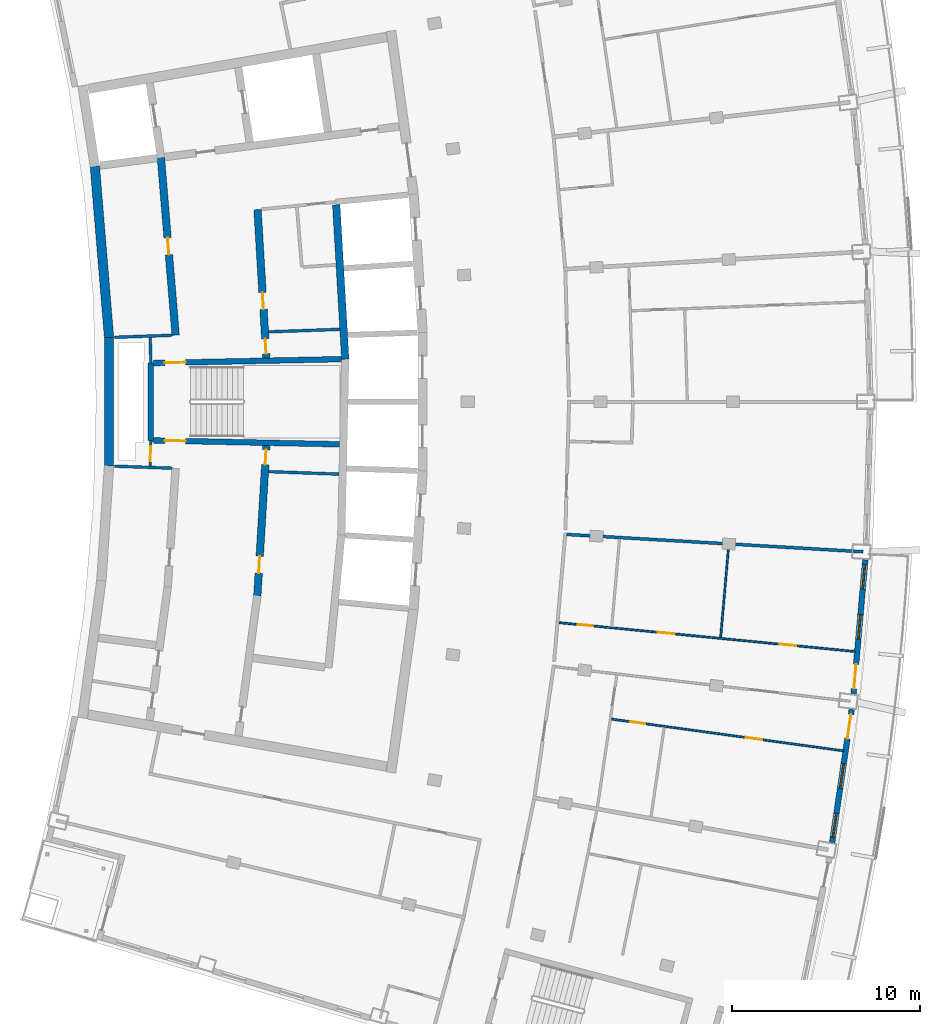
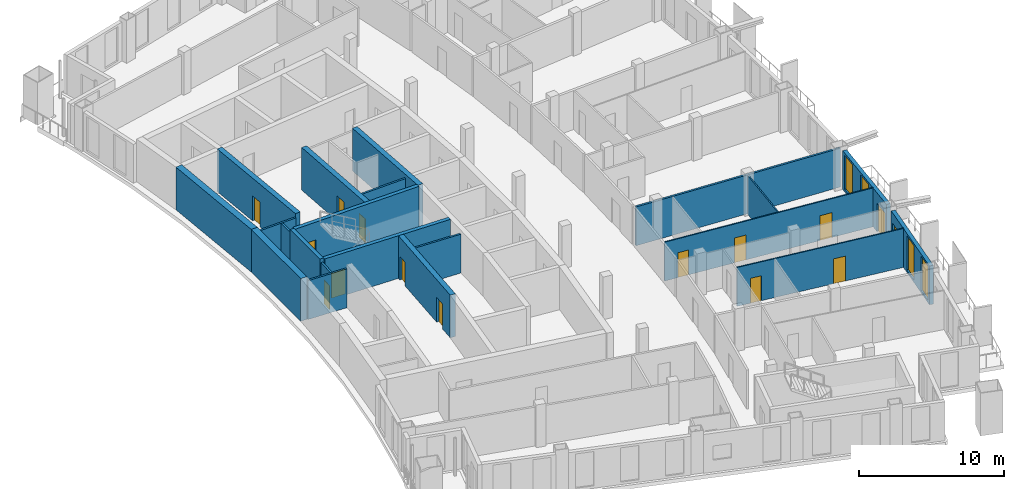
# One storey, part 9 of 15: 21 walls, 15 doors, 4 windows, 19 openings.
"""IFC4 building model written with IfcOpenShell, lengths in metres."""

from ifc_helpers import new_model, si_unit, direction, frame, frame_2d, origin, place, context, subcontext, project, spatial, rectangle, extrude, material, layer, layer_set, type_object, element, fill, save


model = new_model("IFC4")

# Units and contexts
model_context = context("Model", 3, precision=1e-05, world=origin(), true_north=direction((0.0, 1.0)))
body_context = subcontext(model_context, "Body", "Model", "MODEL_VIEW")
ifc_project = project(units=[si_unit("LENGTHUNIT", "METRE"), si_unit("AREAUNIT", "SQUARE_METRE"), si_unit("VOLUMEUNIT", "CUBIC_METRE"), si_unit("PLANEANGLEUNIT", "RADIAN"), si_unit("MASSUNIT", "GRAM", prefix="KILO")], contexts=[model_context])

# Site, building, storey
site_placement = place(None, origin())
site = spatial("IfcSite", under=ifc_project, at=site_placement, CompositionType="ELEMENT")
building_placement = place(site_placement, origin())
building = spatial("IfcBuilding", under=site, at=building_placement, Name="Alderwake Tower", CompositionType="ELEMENT")
storey_placement = place(building_placement, frame((0.0, 0.0, 249.199951171875)))
storey = spatial("IfcBuildingStorey", under=building, at=storey_placement, Name="L61", CompositionType="ELEMENT", Elevation=249.199951171875)

# Walls
ifc_material_1 = material(Name="Gypsum shaft wall system, rated")
ifc_layer_1 = layer(ifc_material_1, 0.14990234375)
ifc_layer_set_1 = layer_set([ifc_layer_1], Name="Core riser partition 150")
wall_type_1 = type_object("IfcWallType", Name="Core riser partition 150", PredefinedType="PARTITIONING", material=ifc_layer_set_1)
wall_1_placement = place(storey_placement, frame((25.1904296875, 57.276611328125, 0.0), z_axis=(0.0, 0.0, 1.0), x_axis=(0.99937350076, -0.035392173974, 0.0)))
element("IfcWall", 1, at=wall_1_placement, inside=storey, type_object=wall_type_1, Name="CW/L61/PR-37_+86", PredefinedType="PARTITIONING", context=body_context, shape_type="SweptSolid", body=[
    extrude(rectangle(XDim=3.752685546875, YDim=0.14990234375, at=frame_2d((1.87646484375, 0.0))), origin(), (0.0, 0.0, 1.0), 3.280029296875),
])
wall_2_placement = place(storey_placement, frame((25.191162109375, 64.723388671875, 0.0), z_axis=(0.0, 0.0, 1.0), x_axis=(0.999373627871, 0.035388584556, 0.0)))
element("IfcWall", 2, at=wall_2_placement, inside=storey, type_object=wall_type_1, Name="CW/L61/PR+37_+86", PredefinedType="PARTITIONING", context=body_context, shape_type="SweptSolid", body=[
    extrude(rectangle(XDim=3.79443359375, YDim=0.14990234375, at=frame_2d((1.897216796875, 0.0))), origin(), (0.0, 0.0, 1.0), 3.280029296875),
])

# Wall, opening, door
ifc_material_2 = material(Name="Gypsum shaft wall system, rated")
ifc_layer_2 = layer(ifc_material_2, 0.14990234375)
ifc_layer_set_2 = layer_set([ifc_layer_2], Name="Core room partition 150")
wall_type_2 = type_object("IfcWallType", Name="Core room partition 150", PredefinedType="PARTITIONING", material=ifc_layer_set_2)
wall_3_placement = place(storey_placement, frame((18.918701171875, 58.94384765625, 0.0), z_axis=(0.0, 0.0, 1.0), x_axis=(-0.027811602725, -0.999613182563, 0.0)))
wall_3 = element("IfcWall", 3, at=wall_3_placement, inside=storey, type_object=wall_type_2, Name="CW/L61/PA+24_-37", PredefinedType="PARTITIONING", context=body_context, shape_type="SweptSolid", body=[
    extrude(rectangle(XDim=1.369384765625, YDim=0.14990234375, at=frame_2d((0.6845703125, 0.0))), origin(), (0.0, 0.0, 1.0), 3.280029296875),
])
opening_1_placement = place(wall_3_placement, frame((0.322998046875, 0.0, 0.0)))
opening_1 = element("IfcOpeningElement", 4, at=opening_1_placement, cuts=wall_3, Name="Opening C004", PredefinedType="OPENING", context=body_context, shape_type="SweptSolid", body=[
    extrude(rectangle(XDim=0.800048828125, YDim=2.0, at=frame_2d((0.39990234375, 1.0))), frame((0.0, 0.0849609375, 0.0), z_axis=(0.0, -1.0, 0.0), x_axis=(1.0, 0.0, 0.0)), (0.0, 0.0, 1.0), 0.169921875),
])
ifc_material_3 = material(Name="Painted steel leaf, rated", Category="steel")
door_type_1 = type_object("IfcDoorType", Name="Riser access door 800", OperationType="SINGLE_SWING_LEFT", PredefinedType="DOOR", material=ifc_material_3)
door_1_placement = place(opening_1_placement, origin())
door_1 = element("IfcDoor", 5, at=door_1_placement, inside=storey, type_object=door_type_1, Name="Riser access door", OperationType="SINGLE_SWING_RIGHT", OverallHeight=2.0, OverallWidth=0.800048828125, PredefinedType="DOOR", context=body_context, shape_type="SweptSolid", body=[
    extrude(rectangle(XDim=0.800048828125, YDim=2.0, at=frame_2d((0.39990234375, 1.0))), frame((0.0, 0.02490234375, 0.0), z_axis=(0.0, -1.0, 0.0), x_axis=(1.0, 0.0, 0.0)), (0.0, 0.0, 1.0), 0.050048828125),
])
fill(opening_1, door_1)

# Walls
wall_4_placement = place(storey_placement, frame((18.918701171875, 63.05517578125, 0.0), z_axis=(0.0, 0.0, 1.0), x_axis=(-0.027791791559, 0.99961373356, 0.0)))
element("IfcWall", 6, at=wall_4_placement, inside=storey, type_object=wall_type_2, Name="CW/L61/PA+24_+22", PredefinedType="PARTITIONING", context=body_context, shape_type="SweptSolid", body=[
    extrude(rectangle(XDim=1.370361328125, YDim=0.14990234375, at=frame_2d((0.68505859375, 0.0))), origin(), (0.0, 0.0, 1.0), 3.280029296875),
])
for number, where, z_axis, x_axis, name in (
    (7, (16.969482421875, 57.5673828125, 0.0), (0.0, 0.0, 1.0), (0.999376258731, -0.035314210814, 0.0), "CW/L61/PR-37_+0"),
    (8, (16.969482421875, 64.4326171875, 0.0), (0.0, 0.0, 1.0), (0.999376258731, 0.035314210814, 0.0), "CW/L61/PR+37_+0"),
):
    element("IfcWall", number, at=place(storey_placement, frame(where, z_axis=z_axis, x_axis=x_axis)), inside=storey, type_object=wall_type_2, Name=name, PredefinedType="PARTITIONING", context=body_context, shape_type="SweptSolid", body=[
        extrude(rectangle(XDim=3.069580078125, YDim=0.14990234375, at=frame_2d((1.53466796875, 0.0))), origin(), (0.0, 0.0, 1.0), 3.280029296875),
    ])
ifc_material_4 = material(Name="Concrete C70/85", Category="concrete")
ifc_layer_3 = layer(ifc_material_4, 0.5)
ifc_layer_set_3 = layer_set([ifc_layer_3], Name="Core wall outer 500 C70-85")
wall_type_3 = type_object("IfcWallType", Name="Core wall outer 500 C70-85", PredefinedType="SHEAR", material=ifc_layer_set_3)
wall_5_placement = place(storey_placement, frame((16.689453125, 57.568603515625, 0.0), z_axis=(0.0, 0.0, 1.0), x_axis=(0.0, 1.0, 0.0)))
element("IfcWall", 9, at=wall_5_placement, inside=storey, type_object=wall_type_3, Name="Core wall CW.029", PredefinedType="SHEAR", context=body_context, shape_type="SweptSolid", body=[
    extrude(rectangle(XDim=6.86474609375, YDim=0.5, at=frame_2d((3.432373046875, 0.0))), origin(), (0.0, 0.0, 1.0), 3.60009765625),
])
wall_6_placement = place(storey_placement, frame((16.690185546875, 64.41162109375, 0.0), z_axis=(0.0, 0.0, 1.0), x_axis=(-0.082611702064, 0.996581811334, 0.0)))
element("IfcWall", 10, at=wall_6_placement, inside=storey, type_object=wall_type_3, Name="Core wall CW.026", PredefinedType="SHEAR", context=body_context, shape_type="SweptSolid", body=[
    extrude(rectangle(XDim=9.176025390625, YDim=0.5, at=frame_2d((4.587890625, 0.0))), origin(), (0.0, 0.0, 1.0), 3.60009765625),
])

# Wall, opening, door
ifc_material_5 = material(Name="Concrete C70/85", Category="concrete")
ifc_layer_4 = layer(ifc_material_5, 0.39990234375)
ifc_layer_set_4 = layer_set([ifc_layer_4], Name="Core wall spine 400 C70-85")
wall_type_4 = type_object("IfcWallType", Name="Core wall spine 400 C70-85", PredefinedType="SHEAR", material=ifc_layer_set_4)
wall_7_placement = place(storey_placement, frame((19.452392578125, 74.014892578125, 0.0), z_axis=(0.0, 0.0, 1.0), x_axis=(0.082628585297, -0.996580411654, 0.0)))
wall_7 = element("IfcWall", 11, at=wall_7_placement, inside=storey, type_object=wall_type_4, Name="Core wall CW.031", PredefinedType="SHEAR", context=body_context, shape_type="SweptSolid", body=[
    extrude(rectangle(XDim=9.499267578125, YDim=0.39990234375, at=frame_2d((4.74951171875, 0.0))), origin(), (0.0, 0.0, 1.0), 3.60009765625),
])
opening_2_placement = place(wall_7_placement, frame((4.30322265625, 0.0, 0.0)))
opening_2 = element("IfcOpeningElement", 12, at=opening_2_placement, cuts=wall_7, Name="Opening C051", PredefinedType="OPENING", context=body_context, shape_type="SweptSolid", body=[
    extrude(rectangle(XDim=0.89990234375, YDim=2.10009765625, at=frame_2d((0.449951171875, 1.050048828125))), frame((0.0, 0.2099609375, 0.0), z_axis=(0.0, -1.0, 0.0), x_axis=(1.0, 0.0, 0.0)), (0.0, 0.0, 1.0), 0.419921875),
])
ifc_material_6 = material(Name="Painted steel leaf", Category="steel")
door_type_2 = type_object("IfcDoorType", Name="Core room door 900", OperationType="SINGLE_SWING_LEFT", PredefinedType="DOOR", material=ifc_material_6)
door_2_placement = place(opening_2_placement, origin())
door_2 = element("IfcDoor", 13, at=door_2_placement, inside=storey, type_object=door_type_2, Name="Room door", OperationType="SINGLE_SWING_RIGHT", OverallHeight=2.10009765625, OverallWidth=0.89990234375, PredefinedType="DOOR", context=body_context, shape_type="SweptSolid", body=[
    extrude(rectangle(XDim=0.89990234375, YDim=2.10009765625, at=frame_2d((0.449951171875, 1.050048828125))), frame((0.0, 0.02490234375, 0.0), z_axis=(0.0, -1.0, 0.0), x_axis=(1.0, 0.0, 0.0)), (0.0, 0.0, 1.0), 0.050048828125),
])
fill(opening_2, door_2)

# Wall, openings, doors
wall_8_placement = place(storey_placement, frame((24.590087890625, 50.65673828125, 0.0), z_axis=(0.0, 0.0, 1.0), x_axis=(0.060318641452, 0.998179173041, 0.0)))
wall_8 = element("IfcWall", 14, at=wall_8_placement, inside=storey, type_object=wall_type_4, Name="Core wall CW.046", PredefinedType="SHEAR", context=body_context, shape_type="SweptSolid", body=[
    extrude(rectangle(XDim=8.022216796875, YDim=0.39990234375, at=frame_2d((4.01123046875, 0.0))), origin(), (0.0, 0.0, 1.0), 3.60009765625),
])
opening_3_placement = place(wall_8_placement, frame((7.006103515625, 0.0, 0.0)))
opening_3 = element("IfcOpeningElement", 15, at=opening_3_placement, cuts=wall_8, Name="Opening C006", PredefinedType="OPENING", context=body_context, shape_type="SweptSolid", body=[
    extrude(rectangle(XDim=0.800048828125, YDim=2.0, at=frame_2d((0.39990234375, 1.0))), frame((0.0, 0.2099609375, 0.0), z_axis=(0.0, -1.0, 0.0), x_axis=(1.0, 0.0, 0.0)), (0.0, 0.0, 1.0), 0.419921875),
])
opening_4_placement = place(wall_8_placement, frame((1.21533203125, 0.0, 0.0)))
opening_4 = element("IfcOpeningElement", 16, at=opening_4_placement, cuts=wall_8, Name="Opening C043", PredefinedType="OPENING", context=body_context, shape_type="SweptSolid", body=[
    extrude(rectangle(XDim=0.89990234375, YDim=2.10009765625, at=frame_2d((0.449951171875, 1.050048828125))), frame((0.0, 0.2099609375, 0.0), z_axis=(0.0, -1.0, 0.0), x_axis=(1.0, 0.0, 0.0)), (0.0, 0.0, 1.0), 0.419921875),
])
door_3_placement = place(opening_4_placement, origin())
door_3 = element("IfcDoor", 17, at=door_3_placement, inside=storey, type_object=door_type_2, Name="Room door", OperationType="SINGLE_SWING_LEFT", OverallHeight=2.10009765625, OverallWidth=0.89990234375, PredefinedType="DOOR", context=body_context, shape_type="SweptSolid", body=[
    extrude(rectangle(XDim=0.89990234375, YDim=2.10009765625, at=frame_2d((0.449951171875, 1.050048828125))), frame((0.0, 0.02490234375, 0.0), z_axis=(0.0, -1.0, 0.0), x_axis=(1.0, 0.0, 0.0)), (0.0, 0.0, 1.0), 0.050048828125),
])
fill(opening_4, door_3)
door_4_placement = place(opening_3_placement, origin())
door_4 = element("IfcDoor", 18, at=door_4_placement, inside=storey, type_object=door_type_1, Name="Riser access door", OperationType="SINGLE_SWING_RIGHT", OverallHeight=2.0, OverallWidth=0.800048828125, PredefinedType="DOOR", context=body_context, shape_type="SweptSolid", body=[
    extrude(rectangle(XDim=0.800048828125, YDim=2.0, at=frame_2d((0.39990234375, 1.0))), frame((0.0, 0.02490234375, 0.0), z_axis=(0.0, -1.0, 0.0), x_axis=(1.0, 0.0, 0.0)), (0.0, 0.0, 1.0), 0.050048828125),
])
fill(opening_3, door_4)

wall_9_placement = place(storey_placement, frame((25.073974609375, 63.335693359375, 0.0), z_axis=(0.0, 0.0, 1.0), x_axis=(-0.059848641072, 0.998207463487, 0.0)))
wall_9 = element("IfcWall", 19, at=wall_9_placement, inside=storey, type_object=wall_type_4, Name="Core wall CW.045", PredefinedType="SHEAR", context=body_context, shape_type="SweptSolid", body=[
    extrude(rectangle(XDim=7.913818359375, YDim=0.39990234375, at=frame_2d((3.95703125, 0.0))), origin(), (0.0, 0.0, 1.0), 3.60009765625),
])
opening_5_placement = place(wall_9_placement, frame((0.216064453125, 0.0, 0.0)))
opening_5 = element("IfcOpeningElement", 20, at=opening_5_placement, cuts=wall_9, Name="Opening C005", PredefinedType="OPENING", context=body_context, shape_type="SweptSolid", body=[
    extrude(rectangle(XDim=0.800048828125, YDim=2.0, at=frame_2d((0.39990234375, 1.0))), frame((0.0, 0.2099609375, 0.0), z_axis=(0.0, -1.0, 0.0), x_axis=(1.0, 0.0, 0.0)), (0.0, 0.0, 1.0), 0.419921875),
])
opening_6_placement = place(wall_9_placement, frame((2.590087890625, 0.0, 0.0)))
opening_6 = element("IfcOpeningElement", 21, at=opening_6_placement, cuts=wall_9, Name="Opening C058", PredefinedType="OPENING", context=body_context, shape_type="SweptSolid", body=[
    extrude(rectangle(XDim=0.89990234375, YDim=2.10009765625, at=frame_2d((0.449951171875, 1.050048828125))), frame((0.0, 0.2099609375, 0.0), z_axis=(0.0, -1.0, 0.0), x_axis=(1.0, 0.0, 0.0)), (0.0, 0.0, 1.0), 0.419921875),
])
door_5_placement = place(opening_6_placement, origin())
door_5 = element("IfcDoor", 22, at=door_5_placement, inside=storey, type_object=door_type_2, Name="Room door", OperationType="SINGLE_SWING_LEFT", OverallHeight=2.10009765625, OverallWidth=0.89990234375, PredefinedType="DOOR", context=body_context, shape_type="SweptSolid", body=[
    extrude(rectangle(XDim=0.89990234375, YDim=2.10009765625, at=frame_2d((0.449951171875, 1.050048828125))), frame((0.0, 0.02490234375, 0.0), z_axis=(0.0, -1.0, 0.0), x_axis=(1.0, 0.0, 0.0)), (0.0, 0.0, 1.0), 0.050048828125),
])
fill(opening_6, door_5)
door_6_placement = place(opening_5_placement, origin())
door_6 = element("IfcDoor", 23, at=door_6_placement, inside=storey, type_object=door_type_1, Name="Riser access door", OperationType="SINGLE_SWING_LEFT", OverallHeight=2.0, OverallWidth=0.800048828125, PredefinedType="DOOR", context=body_context, shape_type="SweptSolid", body=[
    extrude(rectangle(XDim=0.800048828125, YDim=2.0, at=frame_2d((0.39990234375, 1.0))), frame((0.0, 0.02490234375, 0.0), z_axis=(0.0, -1.0, 0.0), x_axis=(1.0, 0.0, 0.0)), (0.0, 0.0, 1.0), 0.050048828125),
])
fill(opening_5, door_6)

# Walls
wall_10_placement = place(storey_placement, frame((29.27685546875, 63.2646484375, 0.0), z_axis=(0.0, 0.0, 1.0), x_axis=(-0.0584546922, 0.998290062537, 0.0)))
element("IfcWall", 24, at=wall_10_placement, inside=storey, type_object=wall_type_4, Name="Core wall CW.002", PredefinedType="SHEAR", context=body_context, shape_type="SweptSolid", body=[
    extrude(rectangle(XDim=8.24462890625, YDim=0.39990234375, at=frame_2d((4.122314453125, 0.0))), origin(), (0.0, 0.0, 1.0), 3.60009765625),
])
ifc_material_7 = material(Name="Concrete C70/85", Category="concrete")
ifc_layer_5 = layer(ifc_material_7, 0.300048828125)
ifc_layer_set_5 = layer_set([ifc_layer_5], Name="Core wall stair enclosure 300 C70-85")
wall_type_5 = type_object("IfcWallType", Name="Core wall stair enclosure 300 C70-85", PredefinedType="SHEAR", material=ifc_layer_set_5)
wall_11_placement = place(storey_placement, frame((18.918701171875, 58.940673828125, 0.0), z_axis=(0.0, 0.0, 1.0), x_axis=(0.0, 1.0, 0.0)))
element("IfcWall", 25, at=wall_11_placement, inside=storey, type_object=wall_type_5, Name="Core wall CW.024", PredefinedType="SHEAR", context=body_context, shape_type="SweptSolid", body=[
    extrude(rectangle(XDim=4.11962890625, YDim=0.300048828125, at=frame_2d((2.059814453125, 0.0))), origin(), (0.0, 0.0, 1.0), 3.60009765625),
])

# Wall, opening, door
wall_12_placement = place(storey_placement, frame((28.975830078125, 58.733154296875, 0.0), z_axis=(0.0, 0.0, 1.0), x_axis=(-0.999783782948, 0.020793925895, 0.0)))
wall_12 = element("IfcWall", 26, at=wall_12_placement, inside=storey, type_object=wall_type_5, Name="Core wall CW.074", PredefinedType="SHEAR", context=body_context, shape_type="SweptSolid", body=[
    extrude(rectangle(XDim=9.909423828125, YDim=0.300048828125, at=frame_2d((4.95458984375, 0.0))), origin(), (0.0, 0.0, 1.0), 3.60009765625),
])
opening_7_placement = place(wall_12_placement, frame((8.20947265625, 0.0, 0.0)))
opening_7 = element("IfcOpeningElement", 27, at=opening_7_placement, cuts=wall_12, Name="Opening C063", PredefinedType="OPENING", context=body_context, shape_type="SweptSolid", body=[
    extrude(rectangle(XDim=1.10009765625, YDim=2.10009765625, at=frame_2d((0.550048828125, 1.050048828125))), frame((0.0, 0.159912109375, 0.0), z_axis=(0.0, -1.0, 0.0), x_axis=(1.0, 0.0, 0.0)), (0.0, 0.0, 1.0), 0.320068359375),
])
ifc_material_8 = material(Name="Steel-framed fire door leaf", Category="steel")
door_type_3 = type_object("IfcDoorType", Name="Core stair door 1100 fire-rated", OperationType="SINGLE_SWING_LEFT", PredefinedType="DOOR", material=ifc_material_8)
door_7_placement = place(opening_7_placement, origin())
door_7 = element("IfcDoor", 28, at=door_7_placement, inside=storey, type_object=door_type_3, Name="Stair door", OperationType="SINGLE_SWING_LEFT", OverallHeight=2.10009765625, OverallWidth=1.10009765625, PredefinedType="DOOR", context=body_context, shape_type="SweptSolid", body=[
    extrude(rectangle(XDim=1.10009765625, YDim=2.10009765625, at=frame_2d((0.550048828125, 1.050048828125))), frame((0.0, 0.02490234375, 0.0), z_axis=(0.0, -1.0, 0.0), x_axis=(1.0, 0.0, 0.0)), (0.0, 0.0, 1.0), 0.050048828125),
])
fill(opening_7, door_7)

wall_13_placement = place(storey_placement, frame((19.068603515625, 63.060791015625, 0.0), z_axis=(0.0, 0.0, 1.0), x_axis=(0.999783553773, 0.02080494185, 0.0)))
wall_13 = element("IfcWall", 29, at=wall_13_placement, inside=storey, type_object=wall_type_5, Name="Core wall CW.057", PredefinedType="SHEAR", context=body_context, shape_type="SweptSolid", body=[
    extrude(rectangle(XDim=10.009765625, YDim=0.300048828125, at=frame_2d((5.0048828125, 0.0))), origin(), (0.0, 0.0, 1.0), 3.60009765625),
])
opening_8_placement = place(wall_13_placement, frame((0.60009765625, 0.0, 0.0)))
opening_8 = element("IfcOpeningElement", 30, at=opening_8_placement, cuts=wall_13, Name="Opening C064", PredefinedType="OPENING", context=body_context, shape_type="SweptSolid", body=[
    extrude(rectangle(XDim=1.10009765625, YDim=2.10009765625, at=frame_2d((0.550048828125, 1.050048828125))), frame((0.0, 0.159912109375, 0.0), z_axis=(0.0, -1.0, 0.0), x_axis=(1.0, 0.0, 0.0)), (0.0, 0.0, 1.0), 0.320068359375),
])
door_8_placement = place(opening_8_placement, origin())
door_8 = element("IfcDoor", 31, at=door_8_placement, inside=storey, type_object=door_type_3, Name="Stair door", OperationType="SINGLE_SWING_RIGHT", OverallHeight=2.10009765625, OverallWidth=1.10009765625, PredefinedType="DOOR", context=body_context, shape_type="SweptSolid", body=[
    extrude(rectangle(XDim=1.10009765625, YDim=2.10009765625, at=frame_2d((0.550048828125, 1.050048828125))), frame((0.0, 0.02490234375, 0.0), z_axis=(0.0, -1.0, 0.0), x_axis=(1.0, 0.0, 0.0)), (0.0, 0.0, 1.0), 0.050048828125),
])
fill(opening_8, door_8)

# Wall
ifc_material_9 = material(Name="Gypsum board on metal studs, rated")
ifc_layer_6 = layer(ifc_material_9, 0.159912109375)
ifc_layer_set_6 = layer_set([ifc_layer_6], Name="Corridor wall 160")
wall_type_6 = type_object("IfcWallType", Name="Corridor wall 160", PredefinedType="PARTITIONING", material=ifc_layer_set_6)
wall_14_placement = place(storey_placement, frame((41.074951171875, 53.92919921875, 0.0), z_axis=(0.0, 0.0, 1.0), x_axis=(0.998299769412, -0.058288681503, 0.0)))
element("IfcWall", 32, at=wall_14_placement, inside=storey, type_object=wall_type_6, Name="WL/L61/W24", PredefinedType="PARTITIONING", context=body_context, shape_type="SweptSolid", body=[
    extrude(rectangle(XDim=15.81982421875, YDim=0.159912109375, at=frame_2d((7.909912109375, 0.0))), origin(), (0.0, 0.0, 1.0), 3.280029296875),
])

# Wall, openings, door, windows
ifc_material_10 = material(Name="Precast concrete C50/60 spandrel panel", Category="concrete")
ifc_layer_7 = layer(ifc_material_10, 0.300048828125)
ifc_layer_set_7 = layer_set([ifc_layer_7], Name="External wall EW1 Precast concrete C50/60 spandrel")
wall_type_7 = type_object("IfcWallType", Name="External wall EW1 Precast concrete C50/60 spandrel", PredefinedType="SOLIDWALL", material=ifc_layer_set_7)
wall_15_placement = place(storey_placement, frame((55.21484375, 37.52099609375, 0.0), z_axis=(0.0, 0.0, 1.0), x_axis=(0.145324203969, 0.989384089088, 0.0)))
wall_15 = element("IfcWall", 33, at=wall_15_placement, inside=storey, type_object=wall_type_7, Name="External wall 13", PredefinedType="SOLIDWALL", context=body_context, shape_type="SweptSolid", body=[
    extrude(rectangle(XDim=7.16162109375, YDim=0.300048828125, at=frame_2d((3.580810546875, 0.0))), origin(), (0.0, 0.0, 1.0), 3.280029296875),
])
opening_9_placement = place(wall_15_placement, frame((0.267333984375, 0.0, 0.199951171875)))
opening_9 = element("IfcOpeningElement", 34, at=opening_9_placement, cuts=wall_15, Name="Opening W1", PredefinedType="OPENING", context=body_context, shape_type="SweptSolid", body=[
    extrude(rectangle(XDim=1.300048828125, YDim=2.89990234375, at=frame_2d((0.64990234375, 1.449951171875))), frame((0.0, 0.159912109375, 0.0), z_axis=(0.0, -1.0, 0.0), x_axis=(1.0, 0.0, 0.0)), (0.0, 0.0, 1.0), 0.320068359375),
])
opening_10_placement = place(wall_15_placement, frame((2.930908203125, 0.0, 0.199951171875)))
opening_10 = element("IfcOpeningElement", 35, at=opening_10_placement, cuts=wall_15, Name="Opening W1", PredefinedType="OPENING", context=body_context, shape_type="SweptSolid", body=[
    extrude(rectangle(XDim=1.300048828125, YDim=2.89990234375, at=frame_2d((0.64990234375, 1.449951171875))), frame((0.0, 0.159912109375, 0.0), z_axis=(0.0, -1.0, 0.0), x_axis=(1.0, 0.0, 0.0)), (0.0, 0.0, 1.0), 0.320068359375),
])
opening_11_placement = place(wall_15_placement, frame((5.594482421875, 0.0, 0.0)))
opening_11 = element("IfcOpeningElement", 36, at=opening_11_placement, cuts=wall_15, Name="Opening D03", PredefinedType="OPENING", context=body_context, shape_type="SweptSolid", body=[
    extrude(rectangle(XDim=1.300048828125, YDim=2.39990234375, at=frame_2d((0.64990234375, 1.199951171875))), frame((0.0, 0.159912109375, 0.0), z_axis=(0.0, -1.0, 0.0), x_axis=(1.0, 0.0, 0.0)), (0.0, 0.0, 1.0), 0.320068359375),
])
ifc_material_11 = material(Name="Bronze tinted glass in aluminium frame", Category="aluminium")
door_type_4 = type_object("IfcDoorType", Name="Balcony door BD sliding", OperationType="SLIDING_TO_LEFT", PredefinedType="DOOR", material=ifc_material_11)
door_9_placement = place(opening_11_placement, origin())
door_9 = element("IfcDoor", 37, at=door_9_placement, inside=storey, type_object=door_type_4, Name="Door D03", OperationType="SLIDING_TO_LEFT", OverallHeight=2.39990234375, OverallWidth=1.300048828125, PredefinedType="DOOR", context=body_context, shape_type="SweptSolid", body=[
    extrude(rectangle(XDim=1.300048828125, YDim=2.39990234375, at=frame_2d((0.64990234375, 1.199951171875))), frame((0.0, 0.02490234375, 0.0), z_axis=(0.0, -1.0, 0.0), x_axis=(1.0, 0.0, 0.0)), (0.0, 0.0, 1.0), 0.050048828125),
])
fill(opening_11, door_9)
ifc_material_12 = material(Name="Bronze tinted glass in aluminium frame", Category="aluminium")
window_type = type_object("IfcWindowType", Name="Window W1 tall fixed and vent", PartitioningType="DOUBLE_PANEL_VERTICAL", PredefinedType="WINDOW", material=ifc_material_12)
window_1_placement = place(opening_9_placement, origin())
window_1 = element("IfcWindow", 38, at=window_1_placement, inside=storey, type_object=window_type, Name="Window W1 tall fixed and vent", OverallHeight=2.89990234375, OverallWidth=1.300048828125, PartitioningType="DOUBLE_PANEL_VERTICAL", PredefinedType="WINDOW", context=body_context, shape_type="SweptSolid", body=[
    extrude(rectangle(XDim=1.300048828125, YDim=2.89990234375, at=frame_2d((0.64990234375, 1.449951171875))), frame((0.0, 0.030029296875, 0.0), z_axis=(0.0, -1.0, 0.0), x_axis=(1.0, 0.0, 0.0)), (0.0, 0.0, 1.0), 0.06005859375),
])
fill(opening_9, window_1)
window_2_placement = place(opening_10_placement, origin())
window_2 = element("IfcWindow", 39, at=window_2_placement, inside=storey, type_object=window_type, Name="Window W1 tall fixed and vent", OverallHeight=2.89990234375, OverallWidth=1.300048828125, PartitioningType="DOUBLE_PANEL_VERTICAL", PredefinedType="WINDOW", context=body_context, shape_type="SweptSolid", body=[
    extrude(rectangle(XDim=1.300048828125, YDim=2.89990234375, at=frame_2d((0.64990234375, 1.449951171875))), frame((0.0, 0.030029296875, 0.0), z_axis=(0.0, -1.0, 0.0), x_axis=(1.0, 0.0, 0.0)), (0.0, 0.0, 1.0), 0.06005859375),
])
fill(opening_10, window_2)

wall_16_placement = place(storey_placement, frame((56.353759765625, 45.44384765625, 0.0), z_axis=(0.0, 0.0, 1.0), x_axis=(0.087406300702, 0.99617274536, 0.0)))
wall_16 = element("IfcWall", 40, at=wall_16_placement, inside=storey, type_object=wall_type_7, Name="External wall 14", PredefinedType="SOLIDWALL", context=body_context, shape_type="SweptSolid", body=[
    extrude(rectangle(XDim=7.16162109375, YDim=0.300048828125, at=frame_2d((3.580810546875, 0.0))), origin(), (0.0, 0.0, 1.0), 3.280029296875),
])
opening_12_placement = place(wall_16_placement, frame((0.267333984375, 0.0, 0.0)))
opening_12 = element("IfcOpeningElement", 41, at=opening_12_placement, cuts=wall_16, Name="Opening D04", PredefinedType="OPENING", context=body_context, shape_type="SweptSolid", body=[
    extrude(rectangle(XDim=1.300048828125, YDim=2.39990234375, at=frame_2d((0.64990234375, 1.199951171875))), frame((0.0, 0.159912109375, 0.0), z_axis=(0.0, -1.0, 0.0), x_axis=(1.0, 0.0, 0.0)), (0.0, 0.0, 1.0), 0.320068359375),
])
opening_13_placement = place(wall_16_placement, frame((2.930908203125, 0.0, 0.199951171875)))
opening_13 = element("IfcOpeningElement", 42, at=opening_13_placement, cuts=wall_16, Name="Opening W1", PredefinedType="OPENING", context=body_context, shape_type="SweptSolid", body=[
    extrude(rectangle(XDim=1.300048828125, YDim=2.89990234375, at=frame_2d((0.64990234375, 1.449951171875))), frame((0.0, 0.159912109375, 0.0), z_axis=(0.0, -1.0, 0.0), x_axis=(1.0, 0.0, 0.0)), (0.0, 0.0, 1.0), 0.320068359375),
])
opening_14_placement = place(wall_16_placement, frame((5.594482421875, 0.0, 0.199951171875)))
opening_14 = element("IfcOpeningElement", 43, at=opening_14_placement, cuts=wall_16, Name="Opening W1", PredefinedType="OPENING", context=body_context, shape_type="SweptSolid", body=[
    extrude(rectangle(XDim=1.300048828125, YDim=2.89990234375, at=frame_2d((0.64990234375, 1.449951171875))), frame((0.0, 0.159912109375, 0.0), z_axis=(0.0, -1.0, 0.0), x_axis=(1.0, 0.0, 0.0)), (0.0, 0.0, 1.0), 0.320068359375),
])
door_10_placement = place(opening_12_placement, origin())
door_10 = element("IfcDoor", 44, at=door_10_placement, inside=storey, type_object=door_type_4, Name="Door D04", OperationType="SLIDING_TO_LEFT", OverallHeight=2.39990234375, OverallWidth=1.300048828125, PredefinedType="DOOR", context=body_context, shape_type="SweptSolid", body=[
    extrude(rectangle(XDim=1.300048828125, YDim=2.39990234375, at=frame_2d((0.64990234375, 1.199951171875))), frame((0.0, 0.02490234375, 0.0), z_axis=(0.0, -1.0, 0.0), x_axis=(1.0, 0.0, 0.0)), (0.0, 0.0, 1.0), 0.050048828125),
])
fill(opening_12, door_10)
window_3_placement = place(opening_13_placement, origin())
window_3 = element("IfcWindow", 45, at=window_3_placement, inside=storey, type_object=window_type, Name="Window W1 tall fixed and vent", OverallHeight=2.89990234375, OverallWidth=1.300048828125, PartitioningType="DOUBLE_PANEL_VERTICAL", PredefinedType="WINDOW", context=body_context, shape_type="SweptSolid", body=[
    extrude(rectangle(XDim=1.300048828125, YDim=2.89990234375, at=frame_2d((0.64990234375, 1.449951171875))), frame((0.0, 0.030029296875, 0.0), z_axis=(0.0, -1.0, 0.0), x_axis=(1.0, 0.0, 0.0)), (0.0, 0.0, 1.0), 0.06005859375),
])
fill(opening_13, window_3)
window_4_placement = place(opening_14_placement, origin())
window_4 = element("IfcWindow", 46, at=window_4_placement, inside=storey, type_object=window_type, Name="Window W1 tall fixed and vent", OverallHeight=2.89990234375, OverallWidth=1.300048828125, PartitioningType="DOUBLE_PANEL_VERTICAL", PredefinedType="WINDOW", context=body_context, shape_type="SweptSolid", body=[
    extrude(rectangle(XDim=1.300048828125, YDim=2.89990234375, at=frame_2d((0.64990234375, 1.449951171875))), frame((0.0, 0.030029296875, 0.0), z_axis=(0.0, -1.0, 0.0), x_axis=(1.0, 0.0, 0.0)), (0.0, 0.0, 1.0), 0.06005859375),
])
fill(opening_14, window_4)

# Wall, openings, doors
ifc_material_13 = material(Name="Gypsum board on metal studs")
ifc_layer_8 = layer(ifc_material_13, 0.10009765625)
ifc_layer_set_8 = layer_set([ifc_layer_8], Name="Unit partition 100")
wall_type_8 = type_object("IfcWallType", Name="Unit partition 100", PredefinedType="PARTITIONING", material=ifc_layer_set_8)
wall_17_placement = place(storey_placement, frame((40.66064453125, 49.231201171875, 0.0), z_axis=(0.0, 0.0, 1.0), x_axis=(0.995274307412, -0.097103310995, 0.0)))
wall_17 = element("IfcWall", 47, at=wall_17_placement, inside=storey, type_object=wall_type_8, Name="WL/L61/W47", PredefinedType="PARTITIONING", context=body_context, shape_type="SweptSolid", body=[
    extrude(rectangle(XDim=15.8623046875, YDim=0.10009765625, at=frame_2d((7.93115234375, 0.0))), origin(), (0.0, 0.0, 1.0), 3.280029296875),
])
opening_15_placement = place(wall_17_placement, frame((5.284912109375, 0.0, 0.0)))
opening_15 = element("IfcOpeningElement", 48, at=opening_15_placement, cuts=wall_17, Name="Opening R17-U04.5", PredefinedType="OPENING", context=body_context, shape_type="SweptSolid", body=[
    extrude(rectangle(XDim=0.89990234375, YDim=2.10009765625, at=frame_2d((0.449951171875, 1.050048828125))), frame((0.0, 0.06005859375, 0.0), z_axis=(0.0, -1.0, 0.0), x_axis=(1.0, 0.0, 0.0)), (0.0, 0.0, 1.0), 0.1201171875),
])
opening_16_placement = place(wall_17_placement, frame((1.010009765625, 0.0, 0.0)))
opening_16 = element("IfcOpeningElement", 49, at=opening_16_placement, cuts=wall_17, Name="Opening R17-U04.6", PredefinedType="OPENING", context=body_context, shape_type="SweptSolid", body=[
    extrude(rectangle(XDim=0.800048828125, YDim=2.10009765625, at=frame_2d((0.39990234375, 1.050048828125))), frame((0.0, 0.06005859375, 0.0), z_axis=(0.0, -1.0, 0.0), x_axis=(1.0, 0.0, 0.0)), (0.0, 0.0, 1.0), 0.1201171875),
])
opening_17_placement = place(wall_17_placement, frame((11.80615234375, 0.0, 0.0)))
opening_17 = element("IfcOpeningElement", 50, at=opening_17_placement, cuts=wall_17, Name="Opening R17-U04.7", PredefinedType="OPENING", context=body_context, shape_type="SweptSolid", body=[
    extrude(rectangle(XDim=0.89990234375, YDim=2.10009765625, at=frame_2d((0.449951171875, 1.050048828125))), frame((0.0, 0.06005859375, 0.0), z_axis=(0.0, -1.0, 0.0), x_axis=(1.0, 0.0, 0.0)), (0.0, 0.0, 1.0), 0.1201171875),
])
ifc_material_14 = material(Name="Painted timber leaf", Category="wood")
door_type_5 = type_object("IfcDoorType", Name="Bathroom door 800", OperationType="SINGLE_SWING_LEFT", PredefinedType="DOOR", material=ifc_material_14)
door_11_placement = place(opening_16_placement, origin())
door_11 = element("IfcDoor", 51, at=door_11_placement, inside=storey, type_object=door_type_5, Name="DR/L61/U04.6", OperationType="SINGLE_SWING_LEFT", OverallHeight=2.10009765625, OverallWidth=0.800048828125, PredefinedType="DOOR", context=body_context, shape_type="SweptSolid", body=[
    extrude(rectangle(XDim=0.800048828125, YDim=2.10009765625, at=frame_2d((0.39990234375, 1.050048828125))), frame((0.0, 0.02490234375, 0.0), z_axis=(0.0, -1.0, 0.0), x_axis=(1.0, 0.0, 0.0)), (0.0, 0.0, 1.0), 0.050048828125),
])
fill(opening_16, door_11)
ifc_material_15 = material(Name="Painted timber leaf", Category="wood")
door_type_6 = type_object("IfcDoorType", Name="Room door 900", OperationType="SINGLE_SWING_LEFT", PredefinedType="DOOR", material=ifc_material_15)
door_12_placement = place(opening_15_placement, origin())
door_12 = element("IfcDoor", 52, at=door_12_placement, inside=storey, type_object=door_type_6, Name="DR/L61/U04.5", OperationType="SINGLE_SWING_LEFT", OverallHeight=2.10009765625, OverallWidth=0.89990234375, PredefinedType="DOOR", context=body_context, shape_type="SweptSolid", body=[
    extrude(rectangle(XDim=0.89990234375, YDim=2.10009765625, at=frame_2d((0.449951171875, 1.050048828125))), frame((0.0, 0.02490234375, 0.0), z_axis=(0.0, -1.0, 0.0), x_axis=(1.0, 0.0, 0.0)), (0.0, 0.0, 1.0), 0.050048828125),
])
fill(opening_15, door_12)
door_13_placement = place(opening_17_placement, origin())
door_13 = element("IfcDoor", 53, at=door_13_placement, inside=storey, type_object=door_type_6, Name="DR/L61/U04.7", OperationType="SINGLE_SWING_LEFT", OverallHeight=2.10009765625, OverallWidth=0.89990234375, PredefinedType="DOOR", context=body_context, shape_type="SweptSolid", body=[
    extrude(rectangle(XDim=0.89990234375, YDim=2.10009765625, at=frame_2d((0.449951171875, 1.050048828125))), frame((0.0, 0.02490234375, 0.0), z_axis=(0.0, -1.0, 0.0), x_axis=(1.0, 0.0, 0.0)), (0.0, 0.0, 1.0), 0.050048828125),
])
fill(opening_17, door_13)

wall_18_placement = place(storey_placement, frame((55.830078125, 42.39892578125, 0.0), z_axis=(0.0, 0.0, 1.0), x_axis=(-0.990764604632, 0.135593134815, 0.0)))
wall_18 = element("IfcWall", 54, at=wall_18_placement, inside=storey, type_object=wall_type_8, Name="WL/L61/W50", PredefinedType="PARTITIONING", context=body_context, shape_type="SweptSolid", body=[
    extrude(rectangle(XDim=12.48486328125, YDim=0.10009765625, at=frame_2d((6.242431640625, 0.0))), origin(), (0.0, 0.0, 1.0), 3.280029296875),
])
opening_18_placement = place(wall_18_placement, frame((10.665283203125, 0.0, 0.0)))
opening_18 = element("IfcOpeningElement", 55, at=opening_18_placement, cuts=wall_18, Name="Opening R17-U04.3", PredefinedType="OPENING", context=body_context, shape_type="SweptSolid", body=[
    extrude(rectangle(XDim=0.800048828125, YDim=2.10009765625, at=frame_2d((0.39990234375, 1.050048828125))), frame((0.0, 0.06005859375, 0.0), z_axis=(0.0, -1.0, 0.0), x_axis=(1.0, 0.0, 0.0)), (0.0, 0.0, 1.0), 0.1201171875),
])
opening_19_placement = place(wall_18_placement, frame((4.37353515625, 0.0, 0.0)))
opening_19 = element("IfcOpeningElement", 56, at=opening_19_placement, cuts=wall_18, Name="Opening R17-U04.4", PredefinedType="OPENING", context=body_context, shape_type="SweptSolid", body=[
    extrude(rectangle(XDim=0.89990234375, YDim=2.10009765625, at=frame_2d((0.449951171875, 1.050048828125))), frame((0.0, 0.06005859375, 0.0), z_axis=(0.0, -1.0, 0.0), x_axis=(1.0, 0.0, 0.0)), (0.0, 0.0, 1.0), 0.1201171875),
])
door_14_placement = place(opening_18_placement, origin())
door_14 = element("IfcDoor", 57, at=door_14_placement, inside=storey, type_object=door_type_5, Name="DR/L61/U04.3", OperationType="SINGLE_SWING_LEFT", OverallHeight=2.10009765625, OverallWidth=0.800048828125, PredefinedType="DOOR", context=body_context, shape_type="SweptSolid", body=[
    extrude(rectangle(XDim=0.800048828125, YDim=2.10009765625, at=frame_2d((0.39990234375, 1.050048828125))), frame((0.0, 0.02490234375, 0.0), z_axis=(0.0, -1.0, 0.0), x_axis=(1.0, 0.0, 0.0)), (0.0, 0.0, 1.0), 0.050048828125),
])
fill(opening_18, door_14)
door_15_placement = place(opening_19_placement, origin())
door_15 = element("IfcDoor", 58, at=door_15_placement, inside=storey, type_object=door_type_6, Name="DR/L61/U04.4", OperationType="SINGLE_SWING_LEFT", OverallHeight=2.10009765625, OverallWidth=0.89990234375, PredefinedType="DOOR", context=body_context, shape_type="SweptSolid", body=[
    extrude(rectangle(XDim=0.89990234375, YDim=2.10009765625, at=frame_2d((0.449951171875, 1.050048828125))), frame((0.0, 0.02490234375, 0.0), z_axis=(0.0, -1.0, 0.0), x_axis=(1.0, 0.0, 0.0)), (0.0, 0.0, 1.0), 0.050048828125),
])
fill(opening_19, door_15)

# Wall
wall_19_placement = place(storey_placement, frame((49.2734375, 48.44287109375, 0.0), z_axis=(0.0, 0.0, 1.0), x_axis=(0.087282672152, 0.99618358506, 0.0)))
element("IfcWall", 59, at=wall_19_placement, inside=storey, type_object=wall_type_8, Name="WL/L61/W53", PredefinedType="PARTITIONING", context=body_context, shape_type="SweptSolid", body=[
    extrude(rectangle(XDim=4.920166015625, YDim=0.10009765625, at=frame_2d((2.4599609375, 0.0))), origin(), (0.0, 0.0, 1.0), 3.280029296875),
])

save(model, "model.ifc")
